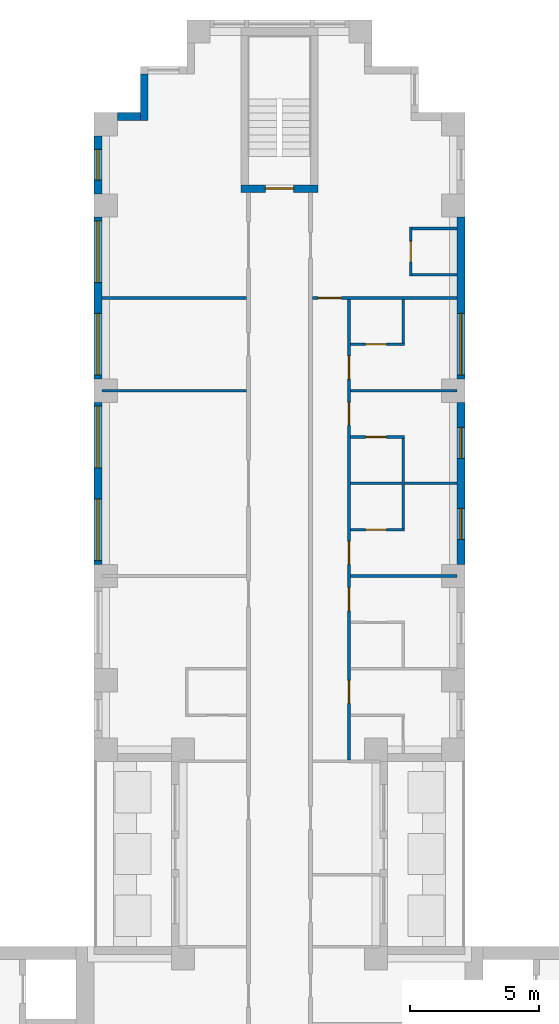
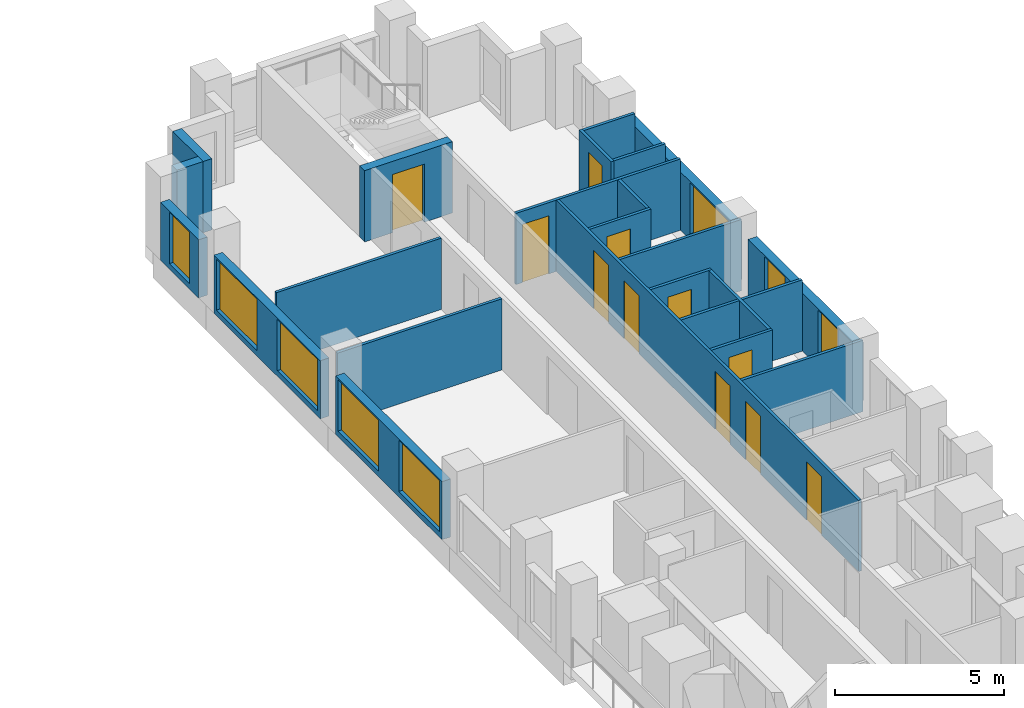
# One storey, part 11 of 15: 23 walls, 11 doors, 8 windows, 19 openings.
"""IFC4 building model written with IfcOpenShell, lengths in metres."""

from ifc_helpers import new_model, si_unit, direction, frame, frame_2d, origin, place, context, subcontext, project, spatial, rectangle, extrude, material, layer, layer_set, type_object, element, fill, save


model = new_model("IFC4")

# Units and contexts
model_context = context("Model", 3, precision=1e-05, world=origin(), true_north=direction((0.0, 1.0)))
body_context = subcontext(model_context, "Body", "Model", "MODEL_VIEW")
ifc_project = project(units=[si_unit("LENGTHUNIT", "METRE"), si_unit("AREAUNIT", "SQUARE_METRE"), si_unit("VOLUMEUNIT", "CUBIC_METRE"), si_unit("PLANEANGLEUNIT", "RADIAN"), si_unit("MASSUNIT", "GRAM", prefix="KILO")], contexts=[model_context])

# Site, building, storey
site_placement = place(None, origin())
site = spatial("IfcSite", under=ifc_project, at=site_placement, CompositionType="ELEMENT")
building_placement = place(site_placement, origin())
building = spatial("IfcBuilding", under=site, at=building_placement, Name="Fustian Cross Tower", CompositionType="ELEMENT")
storey_placement = place(building_placement, frame((0.0, 0.0, 35.699951171875)))
storey = spatial("IfcBuildingStorey", under=building, at=storey_placement, Name="L10", CompositionType="ELEMENT", Elevation=35.699951171875)

# Walls
ifc_material_1 = material(Name="Plasterboard on steel stud", Category="steel")
ifc_layer_1 = layer(ifc_material_1, 0.10009765625)
ifc_layer_set_1 = layer_set([ifc_layer_1], Name="Plasterboard on steel stud")
wall_type_1 = type_object("IfcWallType", Name="PARTITION 100 STUD", PredefinedType="PARTITIONING", material=ifc_layer_set_1)
for number, where, z_axis, x_axis, name in (
    (1, (-6.89990234375, 28.800048828125, 0.0), (0.0, 0.0, 1.0), (1.0, 0.0, 0.0), "Partition 20"),
    (2, (-6.89990234375, 32.39990234375, 0.0), (0.0, 0.0, 1.0), (1.0, 0.0, 0.0), "Partition 21"),
):
    element("IfcWall", number, at=place(storey_placement, frame(where, z_axis=z_axis, x_axis=x_axis)), inside=storey, type_object=wall_type_1, Name=name, PredefinedType="PARTITIONING", context=body_context, shape_type="SweptSolid", body=[
        extrude(rectangle(XDim=5.625, YDim=0.10009765625, at=frame_2d((2.8125, 0.0))), origin(), (0.0, 0.0, 1.0), 2.574951171875),
    ])

# Wall, opening, door
wall_1_placement = place(storey_placement, frame((1.27490234375, 32.39990234375, 0.0), z_axis=(0.0, 0.0, 1.0), x_axis=(1.0, 0.0, 0.0)))
wall_1 = element("IfcWall", 3, at=wall_1_placement, inside=storey, type_object=wall_type_1, Name="Partition 58", PredefinedType="PARTITIONING", context=body_context, shape_type="SweptSolid", body=[
    extrude(rectangle(XDim=5.625, YDim=0.10009765625, at=frame_2d((2.8125, 0.0))), origin(), (0.0, 0.0, 1.0), 2.574951171875),
])
opening_1_placement = place(wall_1_placement, frame((0.22509765625, 0.0, 0.0)))
opening_1 = element("IfcOpeningElement", 4, at=opening_1_placement, cuts=wall_1, Name="Opening D07030", PredefinedType="OPENING", context=body_context, shape_type="SweptSolid", body=[
    extrude(rectangle(XDim=0.89990234375, YDim=2.10009765625, at=frame_2d((0.449951171875, 1.050048828125))), frame((0.0, 0.06005859375, 0.0), z_axis=(0.0, -1.0, 0.0), x_axis=(1.0, 0.0, 0.0)), (0.0, 0.0, 1.0), 0.1201171875),
])
ifc_material_2 = material(Name="Painted timber", Category="wood")
door_type_1 = type_object("IfcDoorType", Name="SWING DOOR 900", OperationType="SINGLE_SWING_LEFT", PredefinedType="DOOR", material=ifc_material_2)
door_1_placement = place(opening_1_placement, frame((0.89990234375, 0.0, 0.0), z_axis=(0.0, 0.0, 1.0), x_axis=(-1.0, 0.0, 0.0)))
door_1 = element("IfcDoor", 5, at=door_1_placement, inside=storey, type_object=door_type_1, Name="Door D07030", OperationType="SINGLE_SWING_RIGHT", OverallHeight=2.10009765625, OverallWidth=0.89990234375, PredefinedType="DOOR", context=body_context, shape_type="SweptSolid", body=[
    extrude(rectangle(XDim=0.89990234375, YDim=2.10009765625, at=frame_2d((0.449951171875, 1.050048828125))), frame((0.0, 0.02490234375, 0.0), z_axis=(0.0, -1.0, 0.0), x_axis=(1.0, 0.0, 0.0)), (0.0, 0.0, 1.0), 0.050048828125),
])
fill(opening_1, door_1)

# Wall, openings, doors
wall_2_placement = place(storey_placement, frame((2.699951171875, 14.46240234375, 0.0), z_axis=(0.0, 0.0, 1.0), x_axis=(0.0, 1.0, 0.0)))
wall_2 = element("IfcWall", 6, at=wall_2_placement, inside=storey, type_object=wall_type_1, Name="Partition 59", PredefinedType="PARTITIONING", context=body_context, shape_type="SweptSolid", body=[
    extrude(rectangle(XDim=17.8876953125, YDim=0.10009765625, at=frame_2d((8.94384765625, 0.0))), origin(), (0.0, 0.0, 1.0), 2.574951171875),
])
opening_2_placement = place(wall_2_placement, frame((2.1875, 0.0, 0.0)))
opening_2 = element("IfcOpeningElement", 7, at=opening_2_placement, cuts=wall_2, Name="Opening D07031", PredefinedType="OPENING", context=body_context, shape_type="SweptSolid", body=[
    extrude(rectangle(XDim=0.89990234375, YDim=2.10009765625, at=frame_2d((0.449951171875, 1.050048828125))), frame((0.0, 0.06005859375, 0.0), z_axis=(0.0, -1.0, 0.0), x_axis=(1.0, 0.0, 0.0)), (0.0, 0.0, 1.0), 0.1201171875),
])
opening_3_placement = place(wall_2_placement, frame((5.78759765625, 0.0, 0.0)))
opening_3 = element("IfcOpeningElement", 8, at=opening_3_placement, cuts=wall_2, Name="Opening D07032", PredefinedType="OPENING", context=body_context, shape_type="SweptSolid", body=[
    extrude(rectangle(XDim=0.89990234375, YDim=2.10009765625, at=frame_2d((0.449951171875, 1.050048828125))), frame((0.0, 0.06005859375, 0.0), z_axis=(0.0, -1.0, 0.0), x_axis=(1.0, 0.0, 0.0)), (0.0, 0.0, 1.0), 0.1201171875),
])
opening_4_placement = place(wall_2_placement, frame((7.58740234375, 0.0, 0.0)))
opening_4 = element("IfcOpeningElement", 9, at=opening_4_placement, cuts=wall_2, Name="Opening D07033", PredefinedType="OPENING", context=body_context, shape_type="SweptSolid", body=[
    extrude(rectangle(XDim=0.89990234375, YDim=2.10009765625, at=frame_2d((0.449951171875, 1.050048828125))), frame((0.0, 0.06005859375, 0.0), z_axis=(0.0, -1.0, 0.0), x_axis=(1.0, 0.0, 0.0)), (0.0, 0.0, 1.0), 0.1201171875),
])
opening_5_placement = place(wall_2_placement, frame((12.987548828125, 0.0, 0.0)))
opening_5 = element("IfcOpeningElement", 10, at=opening_5_placement, cuts=wall_2, Name="Opening D07034", PredefinedType="OPENING", context=body_context, shape_type="SweptSolid", body=[
    extrude(rectangle(XDim=0.89990234375, YDim=2.10009765625, at=frame_2d((0.449951171875, 1.050048828125))), frame((0.0, 0.06005859375, 0.0), z_axis=(0.0, -1.0, 0.0), x_axis=(1.0, 0.0, 0.0)), (0.0, 0.0, 1.0), 0.1201171875),
])
opening_6_placement = place(wall_2_placement, frame((14.78759765625, 0.0, 0.0)))
opening_6 = element("IfcOpeningElement", 11, at=opening_6_placement, cuts=wall_2, Name="Opening D07035", PredefinedType="OPENING", context=body_context, shape_type="SweptSolid", body=[
    extrude(rectangle(XDim=0.89990234375, YDim=2.10009765625, at=frame_2d((0.449951171875, 1.050048828125))), frame((0.0, 0.06005859375, 0.0), z_axis=(0.0, -1.0, 0.0), x_axis=(1.0, 0.0, 0.0)), (0.0, 0.0, 1.0), 0.1201171875),
])
door_2_placement = place(opening_2_placement, frame((0.89990234375, 0.0, 0.0), z_axis=(0.0, 0.0, 1.0), x_axis=(-1.0, 0.0, 0.0)))
door_2 = element("IfcDoor", 12, at=door_2_placement, inside=storey, type_object=door_type_1, Name="Door D07031", OperationType="SINGLE_SWING_RIGHT", OverallHeight=2.10009765625, OverallWidth=0.89990234375, PredefinedType="DOOR", context=body_context, shape_type="SweptSolid", body=[
    extrude(rectangle(XDim=0.89990234375, YDim=2.10009765625, at=frame_2d((0.449951171875, 1.050048828125))), frame((0.0, 0.02490234375, 0.0), z_axis=(0.0, -1.0, 0.0), x_axis=(1.0, 0.0, 0.0)), (0.0, 0.0, 1.0), 0.050048828125),
])
fill(opening_2, door_2)
door_3_placement = place(opening_3_placement, frame((0.89990234375, 0.0, 0.0), z_axis=(0.0, 0.0, 1.0), x_axis=(-1.0, 0.0, 0.0)))
door_3 = element("IfcDoor", 13, at=door_3_placement, inside=storey, type_object=door_type_1, Name="Door D07032", OperationType="SINGLE_SWING_RIGHT", OverallHeight=2.10009765625, OverallWidth=0.89990234375, PredefinedType="DOOR", context=body_context, shape_type="SweptSolid", body=[
    extrude(rectangle(XDim=0.89990234375, YDim=2.10009765625, at=frame_2d((0.449951171875, 1.050048828125))), frame((0.0, 0.02490234375, 0.0), z_axis=(0.0, -1.0, 0.0), x_axis=(1.0, 0.0, 0.0)), (0.0, 0.0, 1.0), 0.050048828125),
])
fill(opening_3, door_3)
door_4_placement = place(opening_4_placement, frame((0.89990234375, 0.0, 0.0), z_axis=(0.0, 0.0, 1.0), x_axis=(-1.0, 0.0, 0.0)))
door_4 = element("IfcDoor", 14, at=door_4_placement, inside=storey, type_object=door_type_1, Name="Door D07033", OperationType="SINGLE_SWING_RIGHT", OverallHeight=2.10009765625, OverallWidth=0.89990234375, PredefinedType="DOOR", context=body_context, shape_type="SweptSolid", body=[
    extrude(rectangle(XDim=0.89990234375, YDim=2.10009765625, at=frame_2d((0.449951171875, 1.050048828125))), frame((0.0, 0.02490234375, 0.0), z_axis=(0.0, -1.0, 0.0), x_axis=(1.0, 0.0, 0.0)), (0.0, 0.0, 1.0), 0.050048828125),
])
fill(opening_4, door_4)
door_5_placement = place(opening_5_placement, frame((0.89990234375, 0.0, 0.0), z_axis=(0.0, 0.0, 1.0), x_axis=(-1.0, 0.0, 0.0)))
door_5 = element("IfcDoor", 15, at=door_5_placement, inside=storey, type_object=door_type_1, Name="Door D07034", OperationType="SINGLE_SWING_RIGHT", OverallHeight=2.10009765625, OverallWidth=0.89990234375, PredefinedType="DOOR", context=body_context, shape_type="SweptSolid", body=[
    extrude(rectangle(XDim=0.89990234375, YDim=2.10009765625, at=frame_2d((0.449951171875, 1.050048828125))), frame((0.0, 0.02490234375, 0.0), z_axis=(0.0, -1.0, 0.0), x_axis=(1.0, 0.0, 0.0)), (0.0, 0.0, 1.0), 0.050048828125),
])
fill(opening_5, door_5)
door_6_placement = place(opening_6_placement, frame((0.89990234375, 0.0, 0.0), z_axis=(0.0, 0.0, 1.0), x_axis=(-1.0, 0.0, 0.0)))
door_6 = element("IfcDoor", 16, at=door_6_placement, inside=storey, type_object=door_type_1, Name="Door D07035", OperationType="SINGLE_SWING_RIGHT", OverallHeight=2.10009765625, OverallWidth=0.89990234375, PredefinedType="DOOR", context=body_context, shape_type="SweptSolid", body=[
    extrude(rectangle(XDim=0.89990234375, YDim=2.10009765625, at=frame_2d((0.449951171875, 1.050048828125))), frame((0.0, 0.02490234375, 0.0), z_axis=(0.0, -1.0, 0.0), x_axis=(1.0, 0.0, 0.0)), (0.0, 0.0, 1.0), 0.050048828125),
])
fill(opening_6, door_6)

# Wall
wall_3_placement = place(storey_placement, frame((2.75, 21.60009765625, 0.0), z_axis=(0.0, 0.0, 1.0), x_axis=(1.0, 0.0, 0.0)))
element("IfcWall", 17, at=wall_3_placement, inside=storey, type_object=wall_type_1, Name="Partition 64", PredefinedType="PARTITIONING", context=body_context, shape_type="SweptSolid", body=[
    extrude(rectangle(XDim=4.14990234375, YDim=0.10009765625, at=frame_2d((2.074951171875, 0.0))), origin(), (0.0, 0.0, 1.0), 2.574951171875),
])

# Wall, opening, door
wall_4_placement = place(storey_placement, frame((2.75, 23.39990234375, 0.0), z_axis=(0.0, 0.0, 1.0), x_axis=(1.0, 0.0, 0.0)))
wall_4 = element("IfcWall", 18, at=wall_4_placement, inside=storey, type_object=wall_type_1, Name="Partition 65", PredefinedType="PARTITIONING", context=body_context, shape_type="SweptSolid", body=[
    extrude(rectangle(XDim=2.10009765625, YDim=0.10009765625, at=frame_2d((1.050048828125, 0.0))), origin(), (0.0, 0.0, 1.0), 2.574951171875),
])
opening_7_placement = place(wall_4_placement, frame((0.60009765625, 0.0, 0.0)))
opening_7 = element("IfcOpeningElement", 19, at=opening_7_placement, cuts=wall_4, Name="Opening D07038", PredefinedType="OPENING", context=body_context, shape_type="SweptSolid", body=[
    extrude(rectangle(XDim=0.800048828125, YDim=2.10009765625, at=frame_2d((0.39990234375, 1.050048828125))), frame((0.0, 0.06005859375, 0.0), z_axis=(0.0, -1.0, 0.0), x_axis=(1.0, 0.0, 0.0)), (0.0, 0.0, 1.0), 0.1201171875),
])
ifc_material_3 = material(Name="Painted timber", Category="wood")
door_type_2 = type_object("IfcDoorType", Name="SWING DOOR 800", OperationType="SINGLE_SWING_LEFT", PredefinedType="DOOR", material=ifc_material_3)
door_7_placement = place(opening_7_placement, origin())
door_7 = element("IfcDoor", 20, at=door_7_placement, inside=storey, type_object=door_type_2, Name="Door D07038", OperationType="SINGLE_SWING_LEFT", OverallHeight=2.10009765625, OverallWidth=0.800048828125, PredefinedType="DOOR", context=body_context, shape_type="SweptSolid", body=[
    extrude(rectangle(XDim=0.800048828125, YDim=2.10009765625, at=frame_2d((0.39990234375, 1.050048828125))), frame((0.0, 0.02490234375, 0.0), z_axis=(0.0, -1.0, 0.0), x_axis=(1.0, 0.0, 0.0)), (0.0, 0.0, 1.0), 0.050048828125),
])
fill(opening_7, door_7)

# Wall
wall_5_placement = place(storey_placement, frame((2.75, 25.199951171875, 0.0), z_axis=(0.0, 0.0, 1.0), x_axis=(1.0, 0.0, 0.0)))
element("IfcWall", 21, at=wall_5_placement, inside=storey, type_object=wall_type_1, Name="Partition 66", PredefinedType="PARTITIONING", context=body_context, shape_type="SweptSolid", body=[
    extrude(rectangle(XDim=4.14990234375, YDim=0.10009765625, at=frame_2d((2.074951171875, 0.0))), origin(), (0.0, 0.0, 1.0), 2.574951171875),
])

# Wall, opening, door
wall_6_placement = place(storey_placement, frame((2.75, 27.0, 0.0), z_axis=(0.0, 0.0, 1.0), x_axis=(1.0, 0.0, 0.0)))
wall_6 = element("IfcWall", 22, at=wall_6_placement, inside=storey, type_object=wall_type_1, Name="Partition 67", PredefinedType="PARTITIONING", context=body_context, shape_type="SweptSolid", body=[
    extrude(rectangle(XDim=2.10009765625, YDim=0.10009765625, at=frame_2d((1.050048828125, 0.0))), origin(), (0.0, 0.0, 1.0), 2.574951171875),
])
opening_8_placement = place(wall_6_placement, frame((0.60009765625, 0.0, 0.0)))
opening_8 = element("IfcOpeningElement", 23, at=opening_8_placement, cuts=wall_6, Name="Opening D07039", PredefinedType="OPENING", context=body_context, shape_type="SweptSolid", body=[
    extrude(rectangle(XDim=0.800048828125, YDim=2.10009765625, at=frame_2d((0.39990234375, 1.050048828125))), frame((0.0, 0.06005859375, 0.0), z_axis=(0.0, -1.0, 0.0), x_axis=(1.0, 0.0, 0.0)), (0.0, 0.0, 1.0), 0.1201171875),
])
door_8_placement = place(opening_8_placement, frame((0.800048828125, 0.0, 0.0), z_axis=(0.0, 0.0, 1.0), x_axis=(-1.0, 0.0, 0.0)))
door_8 = element("IfcDoor", 24, at=door_8_placement, inside=storey, type_object=door_type_2, Name="Door D07039", OperationType="SINGLE_SWING_RIGHT", OverallHeight=2.10009765625, OverallWidth=0.800048828125, PredefinedType="DOOR", context=body_context, shape_type="SweptSolid", body=[
    extrude(rectangle(XDim=0.800048828125, YDim=2.10009765625, at=frame_2d((0.39990234375, 1.050048828125))), frame((0.0, 0.02490234375, 0.0), z_axis=(0.0, -1.0, 0.0), x_axis=(1.0, 0.0, 0.0)), (0.0, 0.0, 1.0), 0.050048828125),
])
fill(opening_8, door_8)

# Wall
wall_7_placement = place(storey_placement, frame((2.75, 28.800048828125, 0.0), z_axis=(0.0, 0.0, 1.0), x_axis=(1.0, 0.0, 0.0)))
element("IfcWall", 25, at=wall_7_placement, inside=storey, type_object=wall_type_1, Name="Partition 68", PredefinedType="PARTITIONING", context=body_context, shape_type="SweptSolid", body=[
    extrude(rectangle(XDim=4.14990234375, YDim=0.10009765625, at=frame_2d((2.074951171875, 0.0))), origin(), (0.0, 0.0, 1.0), 2.574951171875),
])

# Wall, opening, door
wall_8_placement = place(storey_placement, frame((2.75, 30.60009765625, 0.0), z_axis=(0.0, 0.0, 1.0), x_axis=(1.0, 0.0, 0.0)))
wall_8 = element("IfcWall", 26, at=wall_8_placement, inside=storey, type_object=wall_type_1, Name="Partition 69", PredefinedType="PARTITIONING", context=body_context, shape_type="SweptSolid", body=[
    extrude(rectangle(XDim=2.10009765625, YDim=0.10009765625, at=frame_2d((1.050048828125, 0.0))), origin(), (0.0, 0.0, 1.0), 2.574951171875),
])
opening_9_placement = place(wall_8_placement, frame((0.60009765625, 0.0, 0.0)))
opening_9 = element("IfcOpeningElement", 27, at=opening_9_placement, cuts=wall_8, Name="Opening D07040", PredefinedType="OPENING", context=body_context, shape_type="SweptSolid", body=[
    extrude(rectangle(XDim=0.800048828125, YDim=2.10009765625, at=frame_2d((0.39990234375, 1.050048828125))), frame((0.0, 0.06005859375, 0.0), z_axis=(0.0, -1.0, 0.0), x_axis=(1.0, 0.0, 0.0)), (0.0, 0.0, 1.0), 0.1201171875),
])
door_9_placement = place(opening_9_placement, origin())
door_9 = element("IfcDoor", 28, at=door_9_placement, inside=storey, type_object=door_type_2, Name="Door D07040", OperationType="SINGLE_SWING_LEFT", OverallHeight=2.10009765625, OverallWidth=0.800048828125, PredefinedType="DOOR", context=body_context, shape_type="SweptSolid", body=[
    extrude(rectangle(XDim=0.800048828125, YDim=2.10009765625, at=frame_2d((0.39990234375, 1.050048828125))), frame((0.0, 0.02490234375, 0.0), z_axis=(0.0, -1.0, 0.0), x_axis=(1.0, 0.0, 0.0)), (0.0, 0.0, 1.0), 0.050048828125),
])
fill(opening_9, door_9)

# Walls
wall_9_placement = place(storey_placement, frame((4.800048828125, 23.449951171875, 0.0), z_axis=(0.0, 0.0, 1.0), x_axis=(0.0, 1.0, 0.0)))
element("IfcWall", 29, at=wall_9_placement, inside=storey, type_object=wall_type_1, Name="Partition 75", PredefinedType="PARTITIONING", context=body_context, shape_type="SweptSolid", body=[
    extrude(rectangle(XDim=3.5, YDim=0.10009765625, at=frame_2d((1.75, 0.0))), origin(), (0.0, 0.0, 1.0), 2.574951171875),
])
wall_10_placement = place(storey_placement, frame((4.800048828125, 30.64990234375, 0.0), z_axis=(0.0, 0.0, 1.0), x_axis=(0.0, 1.0, 0.0)))
element("IfcWall", 30, at=wall_10_placement, inside=storey, type_object=wall_type_1, Name="Partition 76", PredefinedType="PARTITIONING", context=body_context, shape_type="SweptSolid", body=[
    extrude(rectangle(XDim=1.7001953125, YDim=0.10009765625, at=frame_2d((0.85009765625, 0.0))), origin(), (0.0, 0.0, 1.0), 2.574951171875),
])

# Wall, opening, door
wall_11_placement = place(storey_placement, frame((5.10009765625, 33.25, 0.0), z_axis=(0.0, 0.0, 1.0), x_axis=(0.0, 1.0, 0.0)))
wall_11 = element("IfcWall", 31, at=wall_11_placement, inside=storey, type_object=wall_type_1, Name="Partition 77", PredefinedType="PARTITIONING", context=body_context, shape_type="SweptSolid", body=[
    extrude(rectangle(XDim=1.89990234375, YDim=0.10009765625, at=frame_2d((0.949951171875, 0.0))), origin(), (0.0, 0.0, 1.0), 2.574951171875),
])
opening_10_placement = place(wall_11_placement, frame((0.550048828125, 0.0, 0.0)))
opening_10 = element("IfcOpeningElement", 32, at=opening_10_placement, cuts=wall_11, Name="Opening D07028", PredefinedType="OPENING", context=body_context, shape_type="SweptSolid", body=[
    extrude(rectangle(XDim=0.800048828125, YDim=2.10009765625, at=frame_2d((0.39990234375, 1.050048828125))), frame((0.0, 0.06005859375, 0.0), z_axis=(0.0, -1.0, 0.0), x_axis=(1.0, 0.0, 0.0)), (0.0, 0.0, 1.0), 0.1201171875),
])
door_10_placement = place(opening_10_placement, frame((0.800048828125, 0.0, 0.0), z_axis=(0.0, 0.0, 1.0), x_axis=(-1.0, 0.0, 0.0)))
door_10 = element("IfcDoor", 33, at=door_10_placement, inside=storey, type_object=door_type_2, Name="Door D07028", OperationType="SINGLE_SWING_LEFT", OverallHeight=2.10009765625, OverallWidth=0.800048828125, PredefinedType="DOOR", context=body_context, shape_type="SweptSolid", body=[
    extrude(rectangle(XDim=0.800048828125, YDim=2.10009765625, at=frame_2d((0.39990234375, 1.050048828125))), frame((0.0, 0.02490234375, 0.0), z_axis=(0.0, -1.0, 0.0), x_axis=(1.0, 0.0, 0.0)), (0.0, 0.0, 1.0), 0.050048828125),
])
fill(opening_10, door_10)

# Walls
for number, where, z_axis, x_axis, name in (
    (34, (5.14990234375, 33.300048828125, 0.0), (0.0, 0.0, 1.0), (1.0, 0.0, 0.0), "Partition 78"),
    (35, (5.14990234375, 35.10009765625, 0.0), (0.0, 0.0, 1.0), (1.0, 0.0, 0.0), "Partition 79"),
):
    element("IfcWall", number, at=place(storey_placement, frame(where, z_axis=z_axis, x_axis=x_axis)), inside=storey, type_object=wall_type_1, Name=name, PredefinedType="PARTITIONING", context=body_context, shape_type="SweptSolid", body=[
        extrude(rectangle(XDim=1.75, YDim=0.10009765625, at=frame_2d((0.875, 0.0))), origin(), (0.0, 0.0, 1.0), 2.574951171875),
    ])

# Wall, opening, door
ifc_material_4 = material(Name="Concrete C50/60", Category="concrete")
ifc_layer_2 = layer(ifc_material_4, 0.300048828125)
ifc_layer_set_2 = layer_set([ifc_layer_2], Name="Concrete C50/60")
wall_type_2 = type_object("IfcWallType", Name="STAIR ENCLOSURE WALL 300 C50/60", PredefinedType="SHEAR", material=ifc_layer_set_2)
wall_12_placement = place(storey_placement, frame((-1.5, 36.64990234375, 0.0), z_axis=(0.0, 0.0, 1.0), x_axis=(1.0, 0.0, 0.0)))
wall_12 = element("IfcWall", 36, at=wall_12_placement, inside=storey, type_object=wall_type_2, Name="Stair enclosure wall", PredefinedType="SHEAR", context=body_context, shape_type="SweptSolid", body=[
    extrude(rectangle(XDim=3.0, YDim=0.300048828125, at=frame_2d((1.5, 0.0))), origin(), (0.0, 0.0, 1.0), 2.574951171875),
])
opening_11_placement = place(wall_12_placement, frame((0.949951171875, 0.0, 0.0)))
opening_11 = element("IfcOpeningElement", 37, at=opening_11_placement, cuts=wall_12, Name="Opening CD-04-29", PredefinedType="OPENING", context=body_context, shape_type="SweptSolid", body=[
    extrude(rectangle(XDim=1.10009765625, YDim=2.10009765625, at=frame_2d((0.550048828125, 1.050048828125))), frame((0.0, 0.159912109375, 0.0), z_axis=(0.0, -1.0, 0.0), x_axis=(1.0, 0.0, 0.0)), (0.0, 0.0, 1.0), 0.320068359375),
])
ifc_material_5 = material(Name="Steel", Category="steel")
door_type_3 = type_object("IfcDoorType", Name="FIRE DOOR FD60S 1100X2100", OperationType="SINGLE_SWING_LEFT", PredefinedType="DOOR", material=ifc_material_5)
door_11_placement = place(opening_11_placement, origin())
door_11 = element("IfcDoor", 38, at=door_11_placement, inside=storey, type_object=door_type_3, Name="Core door CD-04-29", OperationType="SINGLE_SWING_LEFT", OverallHeight=2.10009765625, OverallWidth=1.10009765625, PredefinedType="DOOR", context=body_context, shape_type="SweptSolid", body=[
    extrude(rectangle(XDim=1.10009765625, YDim=2.10009765625, at=frame_2d((0.550048828125, 1.050048828125))), frame((0.0, 0.02490234375, 0.0), z_axis=(0.0, -1.0, 0.0), x_axis=(1.0, 0.0, 0.0)), (0.0, 0.0, 1.0), 0.050048828125),
])
fill(opening_11, door_11)

# Wall, openings, windows
ifc_material_6 = material(Name="Dark aluminium cladding on insulated backing wall", Category="aluminium")
ifc_layer_3 = layer(ifc_material_6, 0.300048828125)
ifc_layer_set_3 = layer_set([ifc_layer_3], Name="Dark aluminium cladding on insulated backing wall")
wall_type_3 = type_object("IfcWallType", Name="XW1 EXTERNAL WALL 300", PredefinedType="SOLIDWALL", material=ifc_layer_set_3)
wall_13_placement = place(storey_placement, frame((7.050048828125, 22.050048828125, 0.0), z_axis=(0.0, 0.0, 1.0), x_axis=(0.0, 1.0, 0.0)))
wall_13 = element("IfcWall", 39, at=wall_13_placement, inside=storey, type_object=wall_type_3, Name="External wall", PredefinedType="SOLIDWALL", context=body_context, shape_type="SweptSolid", body=[
    extrude(rectangle(XDim=6.300048828125, YDim=0.300048828125, at=frame_2d((3.14990234375, 0.0))), origin(), (0.0, 0.0, 1.0), 2.10009765625),
])
opening_12_placement = place(wall_13_placement, frame((0.97509765625, 0.0, 0.199951171875)))
opening_12 = element("IfcOpeningElement", 40, at=opening_12_placement, cuts=wall_13, Name="Opening WN3", PredefinedType="OPENING", context=body_context, shape_type="SweptSolid", body=[
    extrude(rectangle(XDim=1.199951171875, YDim=1.85009765625, at=frame_2d((0.60009765625, 0.925048828125))), frame((0.0, 0.159912109375, 0.0), z_axis=(0.0, -1.0, 0.0), x_axis=(1.0, 0.0, 0.0)), (0.0, 0.0, 1.0), 0.320068359375),
])
opening_13_placement = place(wall_13_placement, frame((4.125, 0.0, 0.199951171875)))
opening_13 = element("IfcOpeningElement", 41, at=opening_13_placement, cuts=wall_13, Name="Opening WN3", PredefinedType="OPENING", context=body_context, shape_type="SweptSolid", body=[
    extrude(rectangle(XDim=1.199951171875, YDim=1.85009765625, at=frame_2d((0.60009765625, 0.925048828125))), frame((0.0, 0.159912109375, 0.0), z_axis=(0.0, -1.0, 0.0), x_axis=(1.0, 0.0, 0.0)), (0.0, 0.0, 1.0), 0.320068359375),
])
ifc_material_7 = material(Name="Dark anodised aluminium and double glazing", Category="aluminium")
window_type_1 = type_object("IfcWindowType", Name="WN3 WINDOW 1200X1850", PartitioningType="SINGLE_PANEL", PredefinedType="WINDOW", material=ifc_material_7)
window_1_placement = place(opening_12_placement, origin())
window_1 = element("IfcWindow", 42, at=window_1_placement, inside=storey, type_object=window_type_1, Name="Window", OverallHeight=1.85009765625, OverallWidth=1.199951171875, PartitioningType="SINGLE_PANEL", PredefinedType="WINDOW", context=body_context, shape_type="SweptSolid", body=[
    extrude(rectangle(XDim=1.199951171875, YDim=1.85009765625, at=frame_2d((0.60009765625, 0.925048828125))), frame((0.0, 0.030029296875, 0.0), z_axis=(0.0, -1.0, 0.0), x_axis=(1.0, 0.0, 0.0)), (0.0, 0.0, 1.0), 0.06005859375),
])
fill(opening_12, window_1)
window_2_placement = place(opening_13_placement, origin())
window_2 = element("IfcWindow", 43, at=window_2_placement, inside=storey, type_object=window_type_1, Name="Window", OverallHeight=1.85009765625, OverallWidth=1.199951171875, PartitioningType="SINGLE_PANEL", PredefinedType="WINDOW", context=body_context, shape_type="SweptSolid", body=[
    extrude(rectangle(XDim=1.199951171875, YDim=1.85009765625, at=frame_2d((0.60009765625, 0.925048828125))), frame((0.0, 0.030029296875, 0.0), z_axis=(0.0, -1.0, 0.0), x_axis=(1.0, 0.0, 0.0)), (0.0, 0.0, 1.0), 0.06005859375),
])
fill(opening_13, window_2)

# Wall, opening, window
wall_14_placement = place(storey_placement, frame((7.050048828125, 29.25, 0.0), z_axis=(0.0, 0.0, 1.0), x_axis=(0.0, 1.0, 0.0)))
wall_14 = element("IfcWall", 44, at=wall_14_placement, inside=storey, type_object=wall_type_3, Name="External wall", PredefinedType="SOLIDWALL", context=body_context, shape_type="SweptSolid", body=[
    extrude(rectangle(XDim=6.300048828125, YDim=0.300048828125, at=frame_2d((3.14990234375, 0.0))), origin(), (0.0, 0.0, 1.0), 2.10009765625),
])
opening_14_placement = place(wall_14_placement, frame((0.14990234375, 0.0, 0.199951171875)))
opening_14 = element("IfcOpeningElement", 45, at=opening_14_placement, cuts=wall_14, Name="Opening WN1", PredefinedType="OPENING", context=body_context, shape_type="SweptSolid", body=[
    extrude(rectangle(XDim=2.39990234375, YDim=1.85009765625, at=frame_2d((1.199951171875, 0.925048828125))), frame((0.0, 0.159912109375, 0.0), z_axis=(0.0, -1.0, 0.0), x_axis=(1.0, 0.0, 0.0)), (0.0, 0.0, 1.0), 0.320068359375),
])
ifc_material_8 = material(Name="Dark anodised aluminium and double glazing", Category="aluminium")
window_type_2 = type_object("IfcWindowType", Name="WN1 WINDOW 2400X1850", PartitioningType="SINGLE_PANEL", PredefinedType="WINDOW", material=ifc_material_8)
window_3_placement = place(opening_14_placement, origin())
window_3 = element("IfcWindow", 46, at=window_3_placement, inside=storey, type_object=window_type_2, Name="Window", OverallHeight=1.85009765625, OverallWidth=2.39990234375, PartitioningType="SINGLE_PANEL", PredefinedType="WINDOW", context=body_context, shape_type="SweptSolid", body=[
    extrude(rectangle(XDim=2.39990234375, YDim=1.85009765625, at=frame_2d((1.199951171875, 0.925048828125))), frame((0.0, 0.030029296875, 0.0), z_axis=(0.0, -1.0, 0.0), x_axis=(1.0, 0.0, 0.0)), (0.0, 0.0, 1.0), 0.06005859375),
])
fill(opening_14, window_3)

# Walls
wall_15_placement = place(storey_placement, frame((-5.25, 41.10009765625, 0.0), z_axis=(0.0, 0.0, 1.0), x_axis=(0.0, -1.0, 0.0)))
element("IfcWall", 47, at=wall_15_placement, inside=storey, type_object=wall_type_3, Name="External wall", PredefinedType="SOLIDWALL", context=body_context, shape_type="SweptSolid", body=[
    extrude(rectangle(XDim=1.800048828125, YDim=0.300048828125, at=frame_2d((0.89990234375, 0.0))), origin(), (0.0, 0.0, 1.0), 2.574951171875),
])
wall_16_placement = place(storey_placement, frame((-5.39990234375, 39.449951171875, 0.0), z_axis=(0.0, 0.0, 1.0), x_axis=(-1.0, 0.0, 0.0)))
element("IfcWall", 48, at=wall_16_placement, inside=storey, type_object=wall_type_3, Name="External wall", PredefinedType="SOLIDWALL", context=body_context, shape_type="SweptSolid", body=[
    extrude(rectangle(XDim=0.900146484375, YDim=0.300048828125, at=frame_2d((0.4501953125, 0.0))), origin(), (0.0, 0.0, 1.0), 2.574951171875),
])

# Wall, opening, window
wall_17_placement = place(storey_placement, frame((-7.050048828125, 38.699951171875, 0.0), z_axis=(0.0, 0.0, 1.0), x_axis=(0.0, -1.0, 0.0)))
wall_17 = element("IfcWall", 49, at=wall_17_placement, inside=storey, type_object=wall_type_3, Name="External wall", PredefinedType="SOLIDWALL", context=body_context, shape_type="SweptSolid", body=[
    extrude(rectangle(XDim=2.25, YDim=0.300048828125, at=frame_2d((1.125, 0.0))), origin(), (0.0, 0.0, 1.0), 2.10009765625),
])
opening_15_placement = place(wall_17_placement, frame((0.52490234375, 0.0, 0.199951171875)))
opening_15 = element("IfcOpeningElement", 50, at=opening_15_placement, cuts=wall_17, Name="Opening WN3", PredefinedType="OPENING", context=body_context, shape_type="SweptSolid", body=[
    extrude(rectangle(XDim=1.199951171875, YDim=1.85009765625, at=frame_2d((0.60009765625, 0.925048828125))), frame((0.0, 0.159912109375, 0.0), z_axis=(0.0, -1.0, 0.0), x_axis=(1.0, 0.0, 0.0)), (0.0, 0.0, 1.0), 0.320068359375),
])
window_4_placement = place(opening_15_placement, origin())
window_4 = element("IfcWindow", 51, at=window_4_placement, inside=storey, type_object=window_type_1, Name="Window", OverallHeight=1.85009765625, OverallWidth=1.199951171875, PartitioningType="SINGLE_PANEL", PredefinedType="WINDOW", context=body_context, shape_type="SweptSolid", body=[
    extrude(rectangle(XDim=1.199951171875, YDim=1.85009765625, at=frame_2d((0.60009765625, 0.925048828125))), frame((0.0, 0.030029296875, 0.0), z_axis=(0.0, -1.0, 0.0), x_axis=(1.0, 0.0, 0.0)), (0.0, 0.0, 1.0), 0.06005859375),
])
fill(opening_15, window_4)

# Wall, openings, windows
wall_18_placement = place(storey_placement, frame((-7.050048828125, 35.550048828125, 0.0), z_axis=(0.0, 0.0, 1.0), x_axis=(0.0, -1.0, 0.0)))
wall_18 = element("IfcWall", 52, at=wall_18_placement, inside=storey, type_object=wall_type_3, Name="External wall", PredefinedType="SOLIDWALL", context=body_context, shape_type="SweptSolid", body=[
    extrude(rectangle(XDim=6.300048828125, YDim=0.300048828125, at=frame_2d((3.14990234375, 0.0))), origin(), (0.0, 0.0, 1.0), 2.10009765625),
])
opening_16_placement = place(wall_18_placement, frame((0.14990234375, 0.0, 0.199951171875)))
opening_16 = element("IfcOpeningElement", 53, at=opening_16_placement, cuts=wall_18, Name="Opening WN1", PredefinedType="OPENING", context=body_context, shape_type="SweptSolid", body=[
    extrude(rectangle(XDim=2.39990234375, YDim=1.85009765625, at=frame_2d((1.199951171875, 0.925048828125))), frame((0.0, 0.159912109375, 0.0), z_axis=(0.0, -1.0, 0.0), x_axis=(1.0, 0.0, 0.0)), (0.0, 0.0, 1.0), 0.320068359375),
])
opening_17_placement = place(wall_18_placement, frame((3.75, 0.0, 0.199951171875)))
opening_17 = element("IfcOpeningElement", 54, at=opening_17_placement, cuts=wall_18, Name="Opening WN1", PredefinedType="OPENING", context=body_context, shape_type="SweptSolid", body=[
    extrude(rectangle(XDim=2.39990234375, YDim=1.85009765625, at=frame_2d((1.199951171875, 0.925048828125))), frame((0.0, 0.159912109375, 0.0), z_axis=(0.0, -1.0, 0.0), x_axis=(1.0, 0.0, 0.0)), (0.0, 0.0, 1.0), 0.320068359375),
])
window_5_placement = place(opening_16_placement, origin())
window_5 = element("IfcWindow", 55, at=window_5_placement, inside=storey, type_object=window_type_2, Name="Window", OverallHeight=1.85009765625, OverallWidth=2.39990234375, PartitioningType="SINGLE_PANEL", PredefinedType="WINDOW", context=body_context, shape_type="SweptSolid", body=[
    extrude(rectangle(XDim=2.39990234375, YDim=1.85009765625, at=frame_2d((1.199951171875, 0.925048828125))), frame((0.0, 0.030029296875, 0.0), z_axis=(0.0, -1.0, 0.0), x_axis=(1.0, 0.0, 0.0)), (0.0, 0.0, 1.0), 0.06005859375),
])
fill(opening_16, window_5)
window_6_placement = place(opening_17_placement, origin())
window_6 = element("IfcWindow", 56, at=window_6_placement, inside=storey, type_object=window_type_2, Name="Window", OverallHeight=1.85009765625, OverallWidth=2.39990234375, PartitioningType="SINGLE_PANEL", PredefinedType="WINDOW", context=body_context, shape_type="SweptSolid", body=[
    extrude(rectangle(XDim=2.39990234375, YDim=1.85009765625, at=frame_2d((1.199951171875, 0.925048828125))), frame((0.0, 0.030029296875, 0.0), z_axis=(0.0, -1.0, 0.0), x_axis=(1.0, 0.0, 0.0)), (0.0, 0.0, 1.0), 0.06005859375),
])
fill(opening_17, window_6)

wall_19_placement = place(storey_placement, frame((-7.050048828125, 28.35009765625, 0.0), z_axis=(0.0, 0.0, 1.0), x_axis=(0.0, -1.0, 0.0)))
wall_19 = element("IfcWall", 57, at=wall_19_placement, inside=storey, type_object=wall_type_3, Name="External wall", PredefinedType="SOLIDWALL", context=body_context, shape_type="SweptSolid", body=[
    extrude(rectangle(XDim=6.300048828125, YDim=0.300048828125, at=frame_2d((3.14990234375, 0.0))), origin(), (0.0, 0.0, 1.0), 2.10009765625),
])
opening_18_placement = place(wall_19_placement, frame((0.14990234375, 0.0, 0.199951171875)))
opening_18 = element("IfcOpeningElement", 58, at=opening_18_placement, cuts=wall_19, Name="Opening WN1", PredefinedType="OPENING", context=body_context, shape_type="SweptSolid", body=[
    extrude(rectangle(XDim=2.39990234375, YDim=1.85009765625, at=frame_2d((1.199951171875, 0.925048828125))), frame((0.0, 0.159912109375, 0.0), z_axis=(0.0, -1.0, 0.0), x_axis=(1.0, 0.0, 0.0)), (0.0, 0.0, 1.0), 0.320068359375),
])
opening_19_placement = place(wall_19_placement, frame((3.75, 0.0, 0.199951171875)))
opening_19 = element("IfcOpeningElement", 59, at=opening_19_placement, cuts=wall_19, Name="Opening WN1", PredefinedType="OPENING", context=body_context, shape_type="SweptSolid", body=[
    extrude(rectangle(XDim=2.39990234375, YDim=1.85009765625, at=frame_2d((1.199951171875, 0.925048828125))), frame((0.0, 0.159912109375, 0.0), z_axis=(0.0, -1.0, 0.0), x_axis=(1.0, 0.0, 0.0)), (0.0, 0.0, 1.0), 0.320068359375),
])
window_7_placement = place(opening_18_placement, origin())
window_7 = element("IfcWindow", 60, at=window_7_placement, inside=storey, type_object=window_type_2, Name="Window", OverallHeight=1.85009765625, OverallWidth=2.39990234375, PartitioningType="SINGLE_PANEL", PredefinedType="WINDOW", context=body_context, shape_type="SweptSolid", body=[
    extrude(rectangle(XDim=2.39990234375, YDim=1.85009765625, at=frame_2d((1.199951171875, 0.925048828125))), frame((0.0, 0.030029296875, 0.0), z_axis=(0.0, -1.0, 0.0), x_axis=(1.0, 0.0, 0.0)), (0.0, 0.0, 1.0), 0.06005859375),
])
fill(opening_18, window_7)
window_8_placement = place(opening_19_placement, origin())
window_8 = element("IfcWindow", 61, at=window_8_placement, inside=storey, type_object=window_type_2, Name="Window", OverallHeight=1.85009765625, OverallWidth=2.39990234375, PartitioningType="SINGLE_PANEL", PredefinedType="WINDOW", context=body_context, shape_type="SweptSolid", body=[
    extrude(rectangle(XDim=2.39990234375, YDim=1.85009765625, at=frame_2d((1.199951171875, 0.925048828125))), frame((0.0, 0.030029296875, 0.0), z_axis=(0.0, -1.0, 0.0), x_axis=(1.0, 0.0, 0.0)), (0.0, 0.0, 1.0), 0.06005859375),
])
fill(opening_19, window_8)

save(model, "model.ifc")
